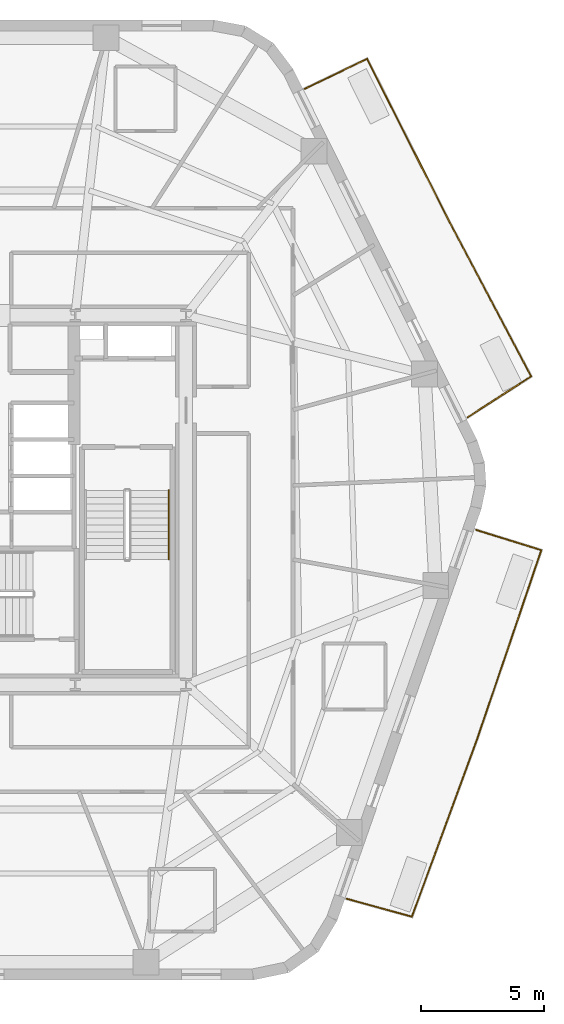
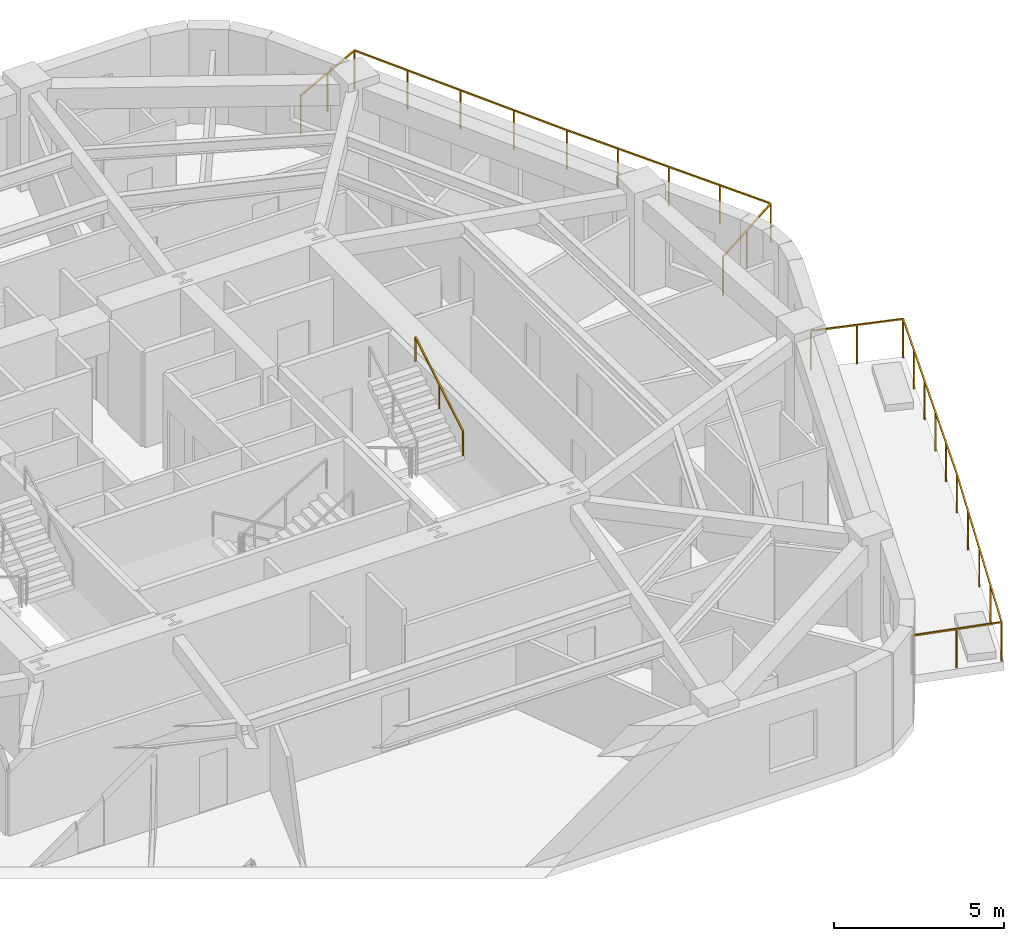
# One storey, part 10 of 10: 3 railings.
"""IFC4 building model written with IfcOpenShell, lengths in metres."""

from ifc_helpers import new_model, si_unit, direction, frame, origin, origin_2d, place, context, subcontext, project, spatial, rectangle, extrude, material, layer, layer_set, type_object, element, save


model = new_model("IFC4")

# Units and contexts
model_context = context("Model", 3, precision=1e-05, world=origin(), true_north=direction((0.0, 1.0)))
body_context = subcontext(model_context, "Body", "Model", "MODEL_VIEW")
ifc_project = project(units=[si_unit("LENGTHUNIT", "METRE"), si_unit("AREAUNIT", "SQUARE_METRE"), si_unit("VOLUMEUNIT", "CUBIC_METRE"), si_unit("PLANEANGLEUNIT", "RADIAN"), si_unit("MASSUNIT", "GRAM", prefix="KILO")], contexts=[model_context])

# Site, building, storey
site_placement = place(None, origin())
site = spatial("IfcSite", under=ifc_project, at=site_placement, CompositionType="ELEMENT")
building_placement = place(site_placement, origin())
building = spatial("IfcBuilding", under=site, at=building_placement, Name="Kilnhurst Terrace Hotel", CompositionType="ELEMENT")
storey_placement = place(building_placement, frame((0.0, 0.0, 144.300048828125)))
storey = spatial("IfcBuildingStorey", under=building, at=storey_placement, Name="L35", CompositionType="ELEMENT", Elevation=144.300048828125)

# Railings
ifc_material_1 = material(Name="Laminated SentryGlas and Stainless Steel AISI 316L Balustrade", Category="steel")
ifc_layer_1 = layer(ifc_material_1, 0.070068359375, Name="Laminated SentryGlas and Stainless Steel AISI 316L Balustrade")
ifc_layer_set_1 = layer_set([ifc_layer_1], Name="Laminated SentryGlas and Stainless Steel AISI 316L Balustrade")
railing_type_1 = type_object("IfcRailingType", Name="RLG-BAL-1420", PredefinedType="BALUSTRADE", material=ifc_layer_set_1)
railing_1_placement = place(storey_placement, frame((20.783935546875, -1.215087890625, 0.0)))
element("IfcRailing", 1, at=railing_1_placement, inside=storey, type_object=railing_type_1, Name="L35 Exterior Terrace Guardrail BAL-L1A.1", PredefinedType="BALUSTRADE", context=body_context, shape_type="SweptSolid", body=[
    extrude(rectangle(XDim=0.048095703125, YDim=0.048095703125, at=origin_2d()), frame((0.0, 0.0, 1.39599609375), z_axis=(0.954948187333, -0.29677257203, 0.0), x_axis=(0.29677257203, 0.954948187333, 0.0)), (0.0, 0.0, 1.0), 2.7763671875),
    extrude(rectangle(XDim=0.048095703125, YDim=0.048095703125, at=origin_2d()), frame((2.6513671875, -0.823974609375, 1.39599609375), z_axis=(-0.321641701575, -0.946861455445, 0.0), x_axis=(0.946861455445, -0.321641701575, 0.0)), (0.0, 0.0, 1.0), 8.082275390625),
    extrude(rectangle(XDim=0.048095703125, YDim=0.048095703125, at=origin_2d()), frame((0.0517578125, -8.476806640625, 1.39599609375), z_axis=(-0.344704120874, -0.938711387516, 0.0), x_axis=(0.938711387516, -0.344704120874, 0.0)), (0.0, 0.0, 1.0), 7.7080078125),
    extrude(rectangle(XDim=0.048095703125, YDim=0.048095703125, at=origin_2d()), frame((-2.605224609375, -15.71240234375, 1.39599609375), z_axis=(-0.964239560757, 0.265032204593, 0.0), x_axis=(-0.265032204593, -0.964239560757, 0.0)), (0.0, 0.0, 1.0), 2.739501953125),
    extrude(rectangle(XDim=0.0419921875, YDim=0.0419921875, at=origin_2d()), origin(), (0.0, 0.0, 1.0), 1.371826171875),
    extrude(rectangle(XDim=0.0419921875, YDim=0.0419921875, at=origin_2d()), frame((1.32568359375, -0.412109375, 0.0)), (0.0, 0.0, 1.0), 1.371826171875),
    extrude(rectangle(XDim=0.0419921875, YDim=0.0419921875, at=origin_2d()), frame((2.6513671875, -0.823974609375, 0.0)), (0.0, 0.0, 1.0), 1.371826171875),
    extrude(rectangle(XDim=0.0419921875, YDim=0.0419921875, at=origin_2d()), frame((2.13134765625, -2.3544921875, 0.0)), (0.0, 0.0, 1.0), 1.371826171875),
    extrude(rectangle(XDim=0.0419921875, YDim=0.0419921875, at=origin_2d()), frame((1.611572265625, -3.885009765625, 0.0)), (0.0, 0.0, 1.0), 1.371826171875),
    extrude(rectangle(XDim=0.0419921875, YDim=0.0419921875, at=origin_2d()), frame((1.091552734375, -5.415771484375, 0.0)), (0.0, 0.0, 1.0), 1.371826171875),
    extrude(rectangle(XDim=0.0419921875, YDim=0.0419921875, at=origin_2d()), frame((0.57177734375, -6.9462890625, 0.0)), (0.0, 0.0, 1.0), 1.371826171875),
    extrude(rectangle(XDim=0.0419921875, YDim=0.0419921875, at=origin_2d()), frame((0.0517578125, -8.476806640625, 0.0)), (0.0, 0.0, 1.0), 1.371826171875),
    extrude(rectangle(XDim=0.0419921875, YDim=0.0419921875, at=origin_2d()), frame((-0.612548828125, -10.28564453125, 0.0)), (0.0, 0.0, 1.0), 1.371826171875),
    extrude(rectangle(XDim=0.0419921875, YDim=0.0419921875, at=origin_2d()), frame((-1.27685546875, -12.0947265625, 0.0)), (0.0, 0.0, 1.0), 1.371826171875),
    extrude(rectangle(XDim=0.0419921875, YDim=0.0419921875, at=origin_2d()), frame((-1.94091796875, -13.903564453125, 0.0)), (0.0, 0.0, 1.0), 1.371826171875),
    extrude(rectangle(XDim=0.0419921875, YDim=0.0419921875, at=origin_2d()), frame((-2.605224609375, -15.71240234375, 0.0)), (0.0, 0.0, 1.0), 1.371826171875),
    extrude(rectangle(XDim=0.0419921875, YDim=0.0419921875, at=origin_2d()), frame((-3.926025390625, -15.349365234375, 0.0)), (0.0, 0.0, 1.0), 1.371826171875),
    extrude(rectangle(XDim=0.0419921875, YDim=0.0419921875, at=origin_2d()), frame((-5.246826171875, -14.986328125, 0.0)), (0.0, 0.0, 1.0), 1.371826171875),
])
railing_2_placement = place(storey_placement, frame((13.83544921875, 16.709716796875, 0.0)))
element("IfcRailing", 2, at=railing_2_placement, inside=storey, type_object=railing_type_1, Name="L35 Exterior Terrace Guardrail BAL-L1B.1", PredefinedType="BALUSTRADE", context=body_context, shape_type="SweptSolid", body=[
    extrude(rectangle(XDim=0.048095703125, YDim=0.048095703125, at=origin_2d()), frame((0.0, 0.0, 1.39599609375), z_axis=(0.901469931109, 0.43284173009, 0.0), x_axis=(-0.43284173009, 0.901469931109, 0.0)), (0.0, 0.0, 1.0), 2.797119140625),
    extrude(rectangle(XDim=0.048095703125, YDim=0.048095703125, at=origin_2d()), frame((2.521484375, 1.210693359375, 1.39599609375), z_axis=(0.450616671131, -0.892717545307, 0.0), x_axis=(0.892717545307, 0.450616671131, 0.0)), (0.0, 0.0, 1.0), 7.453857421875),
    extrude(rectangle(XDim=0.048095703125, YDim=0.048095703125, at=origin_2d()), frame((5.88037109375, -5.443603515625, 1.39599609375), z_axis=(0.4472135955, -0.894427191, 0.0), x_axis=(0.894427191, 0.4472135955, 0.0)), (0.0, 0.0, 1.0), 0.0009765625),
    extrude(rectangle(XDim=0.048095703125, YDim=0.048095703125, at=origin_2d()), frame((5.880859375, -5.444580078125, 1.39599609375), z_axis=(0.46789407085, -0.883784554325, 0.0), x_axis=(0.883784554325, 0.46789407085, 0.0)), (0.0, 0.0, 1.0), 7.0654296875),
    extrude(rectangle(XDim=0.048095703125, YDim=0.048095703125, at=origin_2d()), frame((9.186767578125, -11.68896484375, 1.39599609375), z_axis=(-0.841139546062, -0.540818143233, 0.0), x_axis=(0.540818143233, -0.841139546062, 0.0)), (0.0, 0.0, 1.0), 3.056640625),
    extrude(rectangle(XDim=0.0419921875, YDim=0.0419921875, at=origin_2d()), origin(), (0.0, 0.0, 1.0), 1.371826171875),
    extrude(rectangle(XDim=0.0419921875, YDim=0.0419921875, at=origin_2d()), frame((1.2607421875, 0.60546875, 0.0)), (0.0, 0.0, 1.0), 1.371826171875),
    extrude(rectangle(XDim=0.0419921875, YDim=0.0419921875, at=origin_2d()), frame((2.521484375, 1.210693359375, 0.0)), (0.0, 0.0, 1.0), 1.371826171875),
    extrude(rectangle(XDim=0.0419921875, YDim=0.0419921875, at=origin_2d()), frame((3.361328125, -0.452880859375, 0.0)), (0.0, 0.0, 1.0), 1.371826171875),
    extrude(rectangle(XDim=0.0419921875, YDim=0.0419921875, at=origin_2d()), frame((4.200927734375, -2.116455078125, 0.0)), (0.0, 0.0, 1.0), 1.371826171875),
    extrude(rectangle(XDim=0.0419921875, YDim=0.0419921875, at=origin_2d()), frame((5.04052734375, -3.780029296875, 0.0)), (0.0, 0.0, 1.0), 1.371826171875),
    extrude(rectangle(XDim=0.0419921875, YDim=0.0419921875, at=origin_2d()), frame((5.88037109375, -5.443603515625, 0.0)), (0.0, 0.0, 1.0), 1.371826171875),
    extrude(rectangle(XDim=0.0419921875, YDim=0.0419921875, at=origin_2d()), frame((5.880859375, -5.444580078125, 0.0)), (0.0, 0.0, 1.0), 1.371826171875),
    extrude(rectangle(XDim=0.0419921875, YDim=0.0419921875, at=origin_2d()), frame((6.707275390625, -7.005615234375, 0.0)), (0.0, 0.0, 1.0), 1.371826171875),
    extrude(rectangle(XDim=0.0419921875, YDim=0.0419921875, at=origin_2d()), frame((7.53369140625, -8.56689453125, 0.0)), (0.0, 0.0, 1.0), 1.371826171875),
    extrude(rectangle(XDim=0.0419921875, YDim=0.0419921875, at=origin_2d()), frame((8.3603515625, -10.1279296875, 0.0)), (0.0, 0.0, 1.0), 1.371826171875),
    extrude(rectangle(XDim=0.0419921875, YDim=0.0419921875, at=origin_2d()), frame((9.186767578125, -11.68896484375, 0.0)), (0.0, 0.0, 1.0), 1.371826171875),
    extrude(rectangle(XDim=0.0419921875, YDim=0.0419921875, at=origin_2d()), frame((7.9013671875, -12.515625, 0.0)), (0.0, 0.0, 1.0), 1.371826171875),
    extrude(rectangle(XDim=0.0419921875, YDim=0.0419921875, at=origin_2d()), frame((6.61572265625, -13.342041015625, 0.0)), (0.0, 0.0, 1.0), 1.371826171875),
])
ifc_material_2 = material(Name="Brushed Stainless Steel AISI 304", Category="steel")
ifc_layer_2 = layer(ifc_material_2, 0.048095703125, Name="Brushed Stainless Steel AISI 304")
ifc_layer_set_2 = layer_set([ifc_layer_2], Name="Brushed Stainless Steel AISI 304")
railing_type_2 = type_object("IfcRailingType", Name="RLG-ST-HRL-900", PredefinedType="HANDRAIL", material=ifc_layer_set_2)
railing_3_placement = place(storey_placement, frame((8.300048828125, -2.409912109375, 2.01806640625)))
element("IfcRailing", 3, at=railing_3_placement, inside=storey, type_object=railing_type_2, Name="L35 ST-2 stair handrail 2", PredefinedType="HANDRAIL", context=body_context, shape_type="SweptSolid", body=[
    extrude(rectangle(XDim=0.048095703125, YDim=0.048095703125, at=origin_2d()), frame((0.0, 0.0, 0.8759765625), z_axis=(0.0, 0.857222391501, 0.514946377315), x_axis=(-1.0, 0.0, 0.0)), (0.0, 0.0, 1.0), 3.26611328125),
    extrude(rectangle(XDim=0.0419921875, YDim=0.0419921875, at=origin_2d()), origin(), (0.0, 0.0, 1.0), 0.851806640625),
    extrude(rectangle(XDim=0.0419921875, YDim=0.0419921875, at=origin_2d()), frame((0.0, 1.39990234375, 0.8408203125)), (0.0, 0.0, 1.0), 0.851806640625),
    extrude(rectangle(XDim=0.0419921875, YDim=0.0419921875, at=origin_2d()), frame((0.0, 2.7998046875, 1.681884765625)), (0.0, 0.0, 1.0), 0.851806640625),
])

save(model, "model.ifc")
